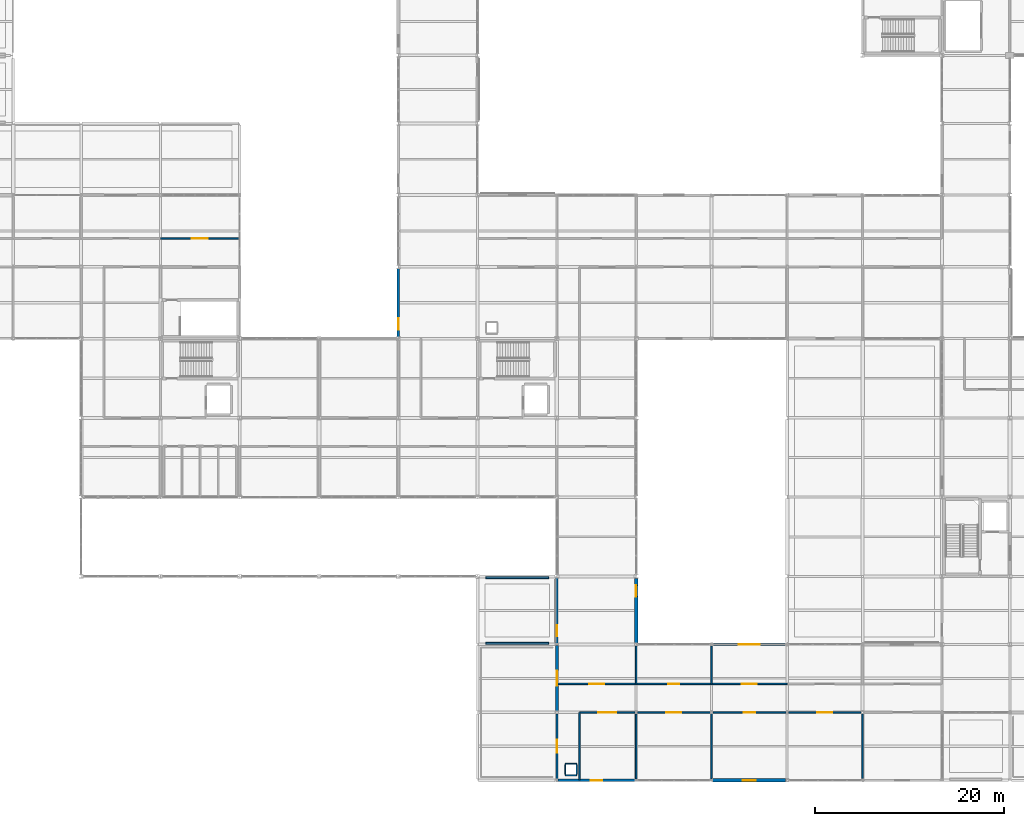
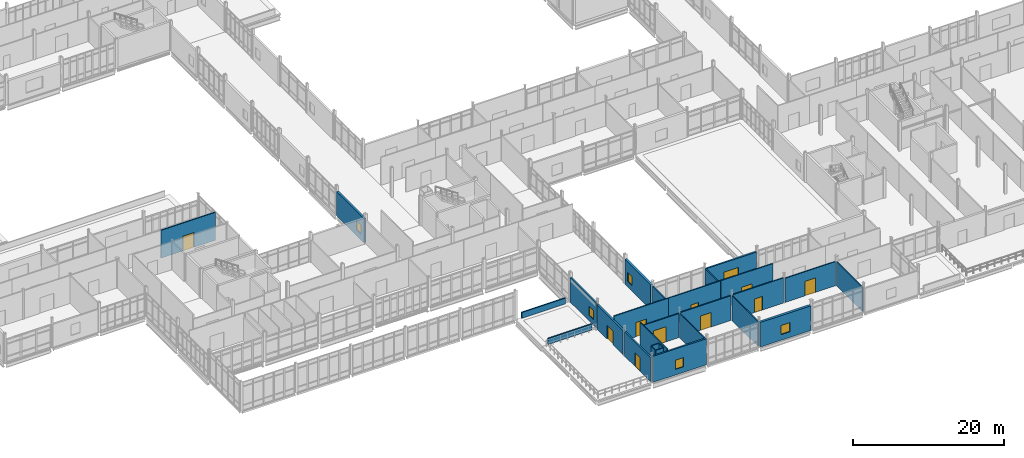
# One storey, part 160 of 186: 28 walls, 10 doors, 6 windows, 16 openings.
"""IFC4 building model written with IfcOpenShell, lengths in metres."""

import ifcopenshell
import ifcopenshell.guid

model = None  # the IFC model being written
_history = None  # IfcOwnerHistory: only IFC2X3 demands one
_inside = {}  # id of a spatial element -> (the spatial element, [elements in it])
_under = {}  # id of a project, library or spatial element -> (it, [spatial elements below it])
_declared = {}  # id of a project -> (the project, [libraries it declares])
_typed = {}  # id of a type object -> (the type object, [elements of that type])
_made_of = {}  # id of a material, layer set ... -> (it, [elements and type objects made of it])


def new_model(schema):
    """Start an empty IFC model of exactly this schema.

    Asked for "IFC4X3", IfcOpenShell would pick the latest addendum, in which some entities
    have other attributes; the version numbers below select the first issue.
    IFC2X3 requires an IfcOwnerHistory on every rooted entity: one is made here for all.
    """
    global model, _history
    if schema == "IFC4X3":
        model = ifcopenshell.file(schema_version=(4, 3, 0, 0))
    else:
        model = ifcopenshell.file(schema=schema)
    _inside.clear()
    _under.clear()
    _declared.clear()
    _typed.clear()
    _made_of.clear()
    _history = None
    if model.schema == "IFC2X3":
        org = make("IfcOrganization", Name="unknown")
        user = make(
            "IfcPersonAndOrganization",
            ThePerson=make("IfcPerson", FamilyName="unknown"),
            TheOrganization=org,
        )
        app = make(
            "IfcApplication",
            ApplicationDeveloper=org,
            Version="unknown",
            ApplicationFullName="unknown",
            ApplicationIdentifier="unknown",
        )
        _history = make(
            "IfcOwnerHistory",
            OwningUser=user,
            OwningApplication=app,
            ChangeAction="ADDED",
            CreationDate=0,
        )
    return model


def make(cls, **values):
    """One entity of the class cls with the attributes given. An attribute that is None is left unset."""
    return model.create_entity(
        cls, **{name: value for name, value in values.items() if value is not None}
    )


def rooted(cls, **values):
    """An entity with a GlobalId (a new one), such as an element, a storey or a relation."""
    return make(cls, GlobalId=ifcopenshell.guid.new(), OwnerHistory=_history, **values)


def si_unit(unit_type, name, prefix=None):
    """IfcSIUnit, for example si_unit("LENGTHUNIT", "METRE", prefix="MILLI")."""
    return make("IfcSIUnit", UnitType=unit_type, Prefix=prefix, Name=name)


def assignment(units):
    """IfcUnitAssignment: the units of a project."""
    return None if units is None else make("IfcUnitAssignment", Units=units)


def point(xyz):
    """IfcCartesianPoint."""
    return None if xyz is None else make("IfcCartesianPoint", Coordinates=xyz)


def direction(xyz):
    """IfcDirection."""
    return None if xyz is None else make("IfcDirection", DirectionRatios=xyz)


def frame(location, z_axis=None, x_axis=None):
    """IfcAxis2Placement3D, a coordinate frame: its origin and axes. An axis left out is left unset."""
    return make(
        "IfcAxis2Placement3D",
        Location=point(location),
        Axis=direction(z_axis),
        RefDirection=direction(x_axis),
    )


def frame_2d(location, x_axis=None):
    """IfcAxis2Placement2D, a coordinate frame in the plane: its origin and x axis."""
    return make(
        "IfcAxis2Placement2D", Location=point(location), RefDirection=direction(x_axis)
    )


def origin():
    """The frame at (0, 0, 0) with its axes left unset."""
    return frame((0.0, 0.0, 0.0))


def place(relative_to, where):
    """IfcLocalPlacement: puts the frame where relative to a parent placement (None: the world)."""
    return make(
        "IfcLocalPlacement", PlacementRelTo=relative_to, RelativePlacement=where
    )


def context(
    kind, dimensions, precision=None, world=None, true_north=None, identifier=None
):
    """IfcGeometricRepresentationContext, for example the 3D "Model" context."""
    return make(
        "IfcGeometricRepresentationContext",
        ContextIdentifier=identifier,
        ContextType=kind,
        CoordinateSpaceDimension=dimensions,
        Precision=precision,
        WorldCoordinateSystem=world,
        TrueNorth=true_north,
    )


def subcontext(parent, identifier, kind, view, scale=None):
    """IfcGeometricRepresentationSubContext, for example "Body" below "Model"."""
    return make(
        "IfcGeometricRepresentationSubContext",
        ContextIdentifier=identifier,
        ContextType=kind,
        ParentContext=parent,
        TargetScale=scale,
        TargetView=view,
    )


def project(units=None, contexts=None):
    """IfcProject with its units and contexts."""
    return rooted(
        "IfcProject",
        Name="project",
        RepresentationContexts=contexts,
        UnitsInContext=assignment(units),
    )


def spatial(cls, under=None, at=None, **own):
    """A site, building, storey or space (cls), placed at a placement, below another one or the project."""
    s = rooted(cls, ObjectPlacement=at, **own)
    if under is not None:
        _under.setdefault(under.id(), (under, []))[1].append(s)
    return s


def profile(cls, at=None, kind="AREA", **sizes):
    """A parametric profile (cls). Its sizes go by their IFC names, for example OverallWidth=200.0."""
    return make(cls, ProfileType=kind, Position=at, **sizes)


def rectangle(**sizes):
    """IfcRectangleProfileDef."""
    return profile("IfcRectangleProfileDef", **sizes)


def extrude(swept, where, along, depth):
    """IfcExtrudedAreaSolid: the profile swept, set in the frame where, extruded along a direction by depth."""
    return make(
        "IfcExtrudedAreaSolid",
        SweptArea=swept,
        Position=where,
        ExtrudedDirection=direction(along),
        Depth=depth,
    )


def shape(context_of_items, identifier, shape_type, items):
    """IfcShapeRepresentation: the items that make up one representation, for example the "Body"."""
    return make(
        "IfcShapeRepresentation",
        ContextOfItems=context_of_items,
        RepresentationIdentifier=identifier,
        RepresentationType=shape_type,
        Items=items,
    )


def material(Name=None, Category=None):
    """IfcMaterial."""
    return make("IfcMaterial", Name=Name, Category=Category)


def layer(
    of_material, thickness, ventilated=None, Name=None, Category=None, Priority=None
):
    """IfcMaterialLayer: one layer of a wall or slab, of a material (None: an air gap)."""
    return make(
        "IfcMaterialLayer",
        Material=of_material,
        LayerThickness=thickness,
        IsVentilated=ventilated,
        Name=Name,
        Category=Category,
        Priority=Priority,
    )


def layer_set(layers, Name=None):
    """IfcMaterialLayerSet."""
    return make("IfcMaterialLayerSet", MaterialLayers=layers, LayerSetName=Name)


def made_of(thing, what):
    """Note that an element or type object is made of a material, layer set ...; save() writes the relation."""
    if what is not None:
        _made_of.setdefault(what.id(), (what, []))[1].append(thing)
    return thing


def type_object(cls, material=None, **own):
    """A type object (cls), such as IfcWallType, which elements share."""
    return made_of(rooted(cls, **own), material)


def element(
    cls,
    number,
    at=None,
    inside=None,
    cuts=None,
    type_object=None,
    material=None,
    context=None,
    identifier="Body",
    shape_type=None,
    held_by="IfcProductDefinitionShape",
    body=None,
    shapes=None,
    **own,
):
    """One element of the class cls, such as IfcWall. Its Tag is "e" and its number.

    at: its placement. inside: the storey or other place that contains it. cuts: it is an
    opening in that element (IfcRelVoidsElement). A single representation is given by context,
    identifier, shape_type and body (its items); several are given by shapes. held_by: the class
    of the entity that holds the representations. save() writes the other relations.
    """
    e = rooted(cls, Tag="e%d" % number, ObjectPlacement=at, **own)
    if body is not None:
        shapes = [shape(context, identifier, shape_type, body)]
    if shapes is not None:
        e.Representation = make(held_by, Representations=shapes)
    if inside is not None:
        _inside.setdefault(inside.id(), (inside, []))[1].append(e)
    if cuts is not None:
        rooted(
            "IfcRelVoidsElement", RelatingBuildingElement=cuts, RelatedOpeningElement=e
        )
    if type_object is not None:
        _typed.setdefault(type_object.id(), (type_object, []))[1].append(e)
    return made_of(e, material)


def fill(opening, filler):
    """IfcRelFillsElement: the door or window that sits in an opening."""
    return rooted(
        "IfcRelFillsElement",
        RelatingOpeningElement=opening,
        RelatedBuildingElement=filler,
    )


def aggregate(whole, parts):
    """IfcRelAggregates: a whole, such as a stair, and the parts it consists of."""
    return rooted("IfcRelAggregates", RelatingObject=whole, RelatedObjects=parts)


def save(model, path):
    """Write the relations noted so far, then the file.

    IfcRelAggregates (storeys below a building ...), IfcRelContainedInSpatialStructure (elements
    in a storey), IfcRelDefinesByType, IfcRelAssociatesMaterial and IfcRelDeclares: one each for
    every whole, place, type object, material and project.
    """
    for whole, parts in _under.values():
        aggregate(whole, parts)
    for where, things in _inside.values():
        rooted(
            "IfcRelContainedInSpatialStructure",
            RelatedElements=things,
            RelatingStructure=where,
        )
    for kind, things in _typed.values():
        rooted("IfcRelDefinesByType", RelatedObjects=things, RelatingType=kind)
    for what, things in _made_of.values():
        rooted("IfcRelAssociatesMaterial", RelatedObjects=things, RelatingMaterial=what)
    for by, libraries in _declared.values():
        rooted("IfcRelDeclares", RelatingContext=by, RelatedDefinitions=libraries)
    model.write(path)


model = new_model("IFC4")

# Units and contexts
model_context = context("Model", 3, precision=1e-05, world=origin(), true_north=direction((0.0, 1.0)))
body_context = subcontext(model_context, "Body", "Model", "MODEL_VIEW")
ifc_project = project(units=[si_unit("LENGTHUNIT", "METRE"), si_unit("AREAUNIT", "SQUARE_METRE"), si_unit("VOLUMEUNIT", "CUBIC_METRE"), si_unit("PLANEANGLEUNIT", "RADIAN"), si_unit("MASSUNIT", "GRAM", prefix="KILO")], contexts=[model_context])

# Site, building, storey
site_placement = place(None, origin())
site = spatial("IfcSite", under=ifc_project, at=site_placement, CompositionType="ELEMENT")
building_placement = place(site_placement, origin())
building = spatial("IfcBuilding", under=site, at=building_placement, Name="Calvrana Isthmian Art Gallery", CompositionType="ELEMENT")
storey_placement = place(building_placement, frame((0.0, 0.0, 5.39990234375)))
storey = spatial("IfcBuildingStorey", under=building, at=storey_placement, Name="L01", CompositionType="ELEMENT", Elevation=5.39990234375)

# Wall, opening, door
ifc_material_1 = material(Name="Precast concrete C40/50", Category="concrete")
ifc_layer_1 = layer(ifc_material_1, 0.219970703125, Name="Precast concrete C40/50")
ifc_layer_set_1 = layer_set([ifc_layer_1], Name="Precast concrete C40/50")
wall_type_1 = type_object("IfcWallType", Name="EW-ACOUST-220", PredefinedType="SOLIDWALL", material=ifc_layer_set_1)
wall_1_placement = place(storey_placement, frame((72.0, 0.15234375, 0.0), z_axis=(0.0, 0.0, 1.0), x_axis=(0.0, 1.0, 0.0)))
wall_1 = element("IfcWall", 1, at=wall_1_placement, inside=storey, type_object=wall_type_1, Name="Exterior wall EW-098", PredefinedType="SOLIDWALL", context=body_context, shape_type="SweptSolid", body=[
    extrude(rectangle(XDim=6.895263671875, YDim=0.219970703125, at=frame_2d((3.44775390625, 0.0))), origin(), (0.0, 0.0, 1.0), 3.908203125),
])
opening_1_placement = place(wall_1_placement, frame((2.74755859375, 0.0, 0.0)))
opening_1 = element("IfcOpeningElement", 2, at=opening_1_placement, cuts=wall_1, Name="Opening D-T21", PredefinedType="OPENING", context=body_context, shape_type="SweptSolid", body=[
    extrude(rectangle(XDim=1.39990234375, YDim=2.199951171875, at=frame_2d((0.699951171875, 1.10009765625))), frame((0.0, 0.1201171875, 0.0), z_axis=(0.0, -1.0, 0.0), x_axis=(1.0, 0.0, 0.0)), (0.0, 0.0, 1.0), 0.240478515625),
])
ifc_material_2 = material(Name="Anodized bronze aluminium 6063-T6", Category="aluminium")
door_type_1 = type_object("IfcDoorType", Name="DR-EXT-TER-1400", OperationType="NOTDEFINED", PredefinedType="DOOR", material=ifc_material_2)
door_1_placement = place(opening_1_placement, origin())
door_1 = element("IfcDoor", 3, at=door_1_placement, inside=storey, type_object=door_type_1, Name="Sculpture terrace access door D-T21", OperationType="SINGLE_SWING_LEFT", OverallHeight=2.199951171875, OverallWidth=1.39990234375, PredefinedType="DOOR", context=body_context, shape_type="SweptSolid", body=[
    extrude(rectangle(XDim=1.39990234375, YDim=2.199951171875, at=frame_2d((0.699951171875, 1.10009765625))), frame((0.0, 0.02490234375, 0.0), z_axis=(0.0, -1.0, 0.0), x_axis=(1.0, 0.0, 0.0)), (0.0, 0.0, 1.0), 0.050048828125),
])
fill(opening_1, door_1)

# Wall, opening, window
ifc_material_3 = material(Name="Pale Isthmian limestone", Category="masonry")
ifc_layer_2 = layer(ifc_material_3, 0.300048828125, Name="Pale Isthmian limestone")
ifc_layer_set_2 = layer_set([ifc_layer_2], Name="Pale Isthmian limestone")
wall_type_2 = type_object("IfcWallType", Name="EW-LIME-300", PredefinedType="SOLIDWALL", material=ifc_layer_set_2)
wall_2_placement = place(storey_placement, frame((55.199951171875, 46.988037109375, 0.0), z_axis=(0.0, 0.0, 1.0), x_axis=(0.0, 1.0, 0.0)))
wall_2 = element("IfcWall", 4, at=wall_2_placement, inside=storey, type_object=wall_type_2, Name="Exterior wall EW-091", PredefinedType="SOLIDWALL", context=body_context, shape_type="SweptSolid", body=[
    extrude(rectangle(XDim=7.22802734375, YDim=0.300048828125, at=frame_2d((3.614013671875, 0.0))), origin(), (0.0, 0.0, 1.0), 3.908203125),
])
opening_2_placement = place(wall_2_placement, frame((0.75, 0.0, 0.89990234375)))
opening_2 = element("IfcOpeningElement", 5, at=opening_2_placement, cuts=wall_2, Name="Opening W-055", PredefinedType="OPENING", context=body_context, shape_type="SweptSolid", body=[
    extrude(rectangle(XDim=1.199951171875, YDim=1.5, at=frame_2d((0.60009765625, 0.75))), frame((0.0, 0.16015625, 0.0), z_axis=(0.0, -1.0, 0.0), x_axis=(1.0, 0.0, 0.0)), (0.0, 0.0, 1.0), 0.320556640625),
])
ifc_material_4 = material(Name="Low-E laminated solar glass", Category="glass")
window_type_1 = type_object("IfcWindowType", Name="WN-G01", PartitioningType="SINGLE_PANEL", PredefinedType="WINDOW", material=ifc_material_4)
window_1_placement = place(opening_2_placement, origin())
window_1 = element("IfcWindow", 6, at=window_1_placement, inside=storey, type_object=window_type_1, Name="Facade window W-055", OverallHeight=1.5, OverallWidth=1.199951171875, PartitioningType="SINGLE_PANEL", PredefinedType="WINDOW", context=body_context, shape_type="SweptSolid", body=[
    extrude(rectangle(XDim=1.199951171875, YDim=1.5, at=frame_2d((0.60009765625, 0.75))), frame((0.0, 0.030029296875, 0.0), z_axis=(0.0, -1.0, 0.0), x_axis=(1.0, 0.0, 0.0)), (0.0, 0.0, 1.0), 0.06005859375),
])
fill(opening_2, window_1)

# Wall, opening, door
wall_3_placement = place(storey_placement, frame((72.0, 7.352294921875, 0.0), z_axis=(0.0, 0.0, 1.0), x_axis=(0.0, 1.0, 0.0)))
wall_3 = element("IfcWall", 7, at=wall_3_placement, inside=storey, type_object=wall_type_2, Name="Exterior wall EW-099", PredefinedType="SOLIDWALL", context=body_context, shape_type="SweptSolid", body=[
    extrude(rectangle(XDim=6.946044921875, YDim=0.300048828125, at=frame_2d((3.47314453125, 0.0))), origin(), (0.0, 0.0, 1.0), 3.9130859375),
])
opening_3_placement = place(wall_3_placement, frame((2.673095703125, 0.0, 0.0)))
opening_3 = element("IfcOpeningElement", 8, at=opening_3_placement, cuts=wall_3, Name="Opening D-T22", PredefinedType="OPENING", context=body_context, shape_type="SweptSolid", body=[
    extrude(rectangle(XDim=1.60009765625, YDim=2.25, at=frame_2d((0.800048828125, 1.125))), frame((0.0, 0.16015625, 0.0), z_axis=(0.0, -1.0, 0.0), x_axis=(1.0, 0.0, 0.0)), (0.0, 0.0, 1.0), 0.320556640625),
])
door_type_2 = type_object("IfcDoorType", Name="DR-EXT-TER-1600", OperationType="DOUBLE_DOOR_SINGLE_SWING", PredefinedType="DOOR", material=ifc_material_2)
door_2_placement = place(opening_3_placement, origin())
door_2 = element("IfcDoor", 9, at=door_2_placement, inside=storey, type_object=door_type_2, Name="Sculpture terrace access door D-T22", OperationType="DOUBLE_DOOR_SINGLE_SWING", OverallHeight=2.25, OverallWidth=1.60009765625, PredefinedType="DOOR", context=body_context, shape_type="SweptSolid", body=[
    extrude(rectangle(XDim=1.60009765625, YDim=2.25, at=frame_2d((0.800048828125, 1.125))), frame((0.0, 0.02490234375, 0.0), z_axis=(0.0, -1.0, 0.0), x_axis=(1.0, 0.0, 0.0)), (0.0, 0.0, 1.0), 0.050048828125),
])
fill(opening_3, door_2)

# Wall, opening, window
ifc_layer_3 = layer(ifc_material_1, 0.35009765625, Name="Precast concrete C40/50")
ifc_layer_set_3 = layer_set([ifc_layer_3], Name="Precast concrete C40/50")
wall_type_3 = type_object("IfcWallType", Name="EW-PREC-350", PredefinedType="SOLIDWALL", material=ifc_layer_set_3)
wall_4_placement = place(storey_placement, frame((96.24755859375, 0.0, 0.0), z_axis=(0.0, 0.0, 1.0), x_axis=(-1.0, 0.0, 0.0)))
wall_4 = element("IfcWall", 10, at=wall_4_placement, inside=storey, type_object=wall_type_3, Name="Exterior wall EW-057", PredefinedType="SOLIDWALL", context=body_context, shape_type="SweptSolid", body=[
    extrude(rectangle(XDim=7.745849609375, YDim=0.35009765625, at=frame_2d((3.873046875, 0.0))), origin(), (0.0, 0.0, 1.0), 3.987060546875),
])
opening_4_placement = place(wall_4_placement, frame((3.197998046875, 0.0, 0.89990234375)))
opening_4 = element("IfcOpeningElement", 11, at=opening_4_placement, cuts=wall_4, Name="Opening W-025", PredefinedType="OPENING", context=body_context, shape_type="SweptSolid", body=[
    extrude(rectangle(XDim=1.35009765625, YDim=1.5, at=frame_2d((0.675048828125, 0.75))), frame((0.0, 0.185302734375, 0.0), z_axis=(0.0, -1.0, 0.0), x_axis=(1.0, 0.0, 0.0)), (0.0, 0.0, 1.0), 0.37060546875),
])
window_type_2 = type_object("IfcWindowType", Name="WN-G02", PartitioningType="SINGLE_PANEL", PredefinedType="WINDOW", material=ifc_material_4)
window_2_placement = place(opening_4_placement, origin())
window_2 = element("IfcWindow", 12, at=window_2_placement, inside=storey, type_object=window_type_2, Name="Facade window W-025", OverallHeight=1.5, OverallWidth=1.35009765625, PartitioningType="SINGLE_PANEL", PredefinedType="WINDOW", context=body_context, shape_type="SweptSolid", body=[
    extrude(rectangle(XDim=1.35009765625, YDim=1.5, at=frame_2d((0.675048828125, 0.75))), frame((0.0, 0.030029296875, 0.0), z_axis=(0.0, -1.0, 0.0), x_axis=(1.0, 0.0, 0.0)), (0.0, 0.0, 1.0), 0.06005859375),
])
fill(opening_4, window_2)

wall_5_placement = place(storey_placement, frame((80.39990234375, 21.406982421875, 0.0), z_axis=(0.0, 0.0, 1.0), x_axis=(0.0, -1.0, 0.0)))
wall_5 = element("IfcWall", 13, at=wall_5_placement, inside=storey, type_object=wall_type_3, Name="Exterior wall EW-101", PredefinedType="SOLIDWALL", context=body_context, shape_type="SweptSolid", body=[
    extrude(rectangle(XDim=6.8544921875, YDim=0.35009765625, at=frame_2d((3.42724609375, 0.0))), origin(), (0.0, 0.0, 1.0), 4.05810546875),
])
opening_5_placement = place(wall_5_placement, frame((0.75, 0.0, 0.89990234375)))
opening_5 = element("IfcOpeningElement", 14, at=opening_5_placement, cuts=wall_5, Name="Opening W-063", PredefinedType="OPENING", context=body_context, shape_type="SweptSolid", body=[
    extrude(rectangle(XDim=1.199951171875, YDim=1.5, at=frame_2d((0.60009765625, 0.75))), frame((0.0, 0.185302734375, 0.0), z_axis=(0.0, -1.0, 0.0), x_axis=(1.0, 0.0, 0.0)), (0.0, 0.0, 1.0), 0.37060546875),
])
window_3_placement = place(opening_5_placement, origin())
window_3 = element("IfcWindow", 15, at=window_3_placement, inside=storey, type_object=window_type_1, Name="Facade window W-063", OverallHeight=1.5, OverallWidth=1.199951171875, PartitioningType="SINGLE_PANEL", PredefinedType="WINDOW", context=body_context, shape_type="SweptSolid", body=[
    extrude(rectangle(XDim=1.199951171875, YDim=1.5, at=frame_2d((0.60009765625, 0.75))), frame((0.0, 0.030029296875, 0.0), z_axis=(0.0, -1.0, 0.0), x_axis=(1.0, 0.0, 0.0)), (0.0, 0.0, 1.0), 0.06005859375),
])
fill(opening_5, window_3)

ifc_material_5 = material(Name="Polychrome glazed terracotta", Category="masonry")
ifc_layer_4 = layer(ifc_material_5, 0.25, Name="Polychrome glazed terracotta")
ifc_layer_set_4 = layer_set([ifc_layer_4], Name="Polychrome glazed terracotta")
wall_type_4 = type_object("IfcWallType", Name="EW-TERRA-250", PredefinedType="SOLIDWALL", material=ifc_layer_set_4)
wall_6_placement = place(storey_placement, frame((80.27294921875, 0.0, 0.0), z_axis=(0.0, 0.0, 1.0), x_axis=(-1.0, 0.0, 0.0)))
wall_6 = element("IfcWall", 16, at=wall_6_placement, inside=storey, type_object=wall_type_4, Name="Exterior wall EW-056", PredefinedType="SOLIDWALL", context=body_context, shape_type="SweptSolid", body=[
    extrude(rectangle(XDim=8.17138671875, YDim=0.25, at=frame_2d((4.085693359375, 0.0))), origin(), (0.0, 0.0, 1.0), 4.21533203125),
])
opening_6_placement = place(wall_6_placement, frame((3.485595703125, 0.0, 0.89990234375)))
opening_6 = element("IfcOpeningElement", 17, at=opening_6_placement, cuts=wall_6, Name="Opening W-024", PredefinedType="OPENING", context=body_context, shape_type="SweptSolid", body=[
    extrude(rectangle(XDim=1.199951171875, YDim=1.5, at=frame_2d((0.60009765625, 0.75))), frame((0.0, 0.13525390625, 0.0), z_axis=(0.0, -1.0, 0.0), x_axis=(1.0, 0.0, 0.0)), (0.0, 0.0, 1.0), 0.2705078125),
])
window_4_placement = place(opening_6_placement, origin())
window_4 = element("IfcWindow", 18, at=window_4_placement, inside=storey, type_object=window_type_1, Name="Facade window W-024", OverallHeight=1.5, OverallWidth=1.199951171875, PartitioningType="SINGLE_PANEL", PredefinedType="WINDOW", context=body_context, shape_type="SweptSolid", body=[
    extrude(rectangle(XDim=1.199951171875, YDim=1.5, at=frame_2d((0.60009765625, 0.75))), frame((0.0, 0.030029296875, 0.0), z_axis=(0.0, -1.0, 0.0), x_axis=(1.0, 0.0, 0.0)), (0.0, 0.0, 1.0), 0.06005859375),
])
fill(opening_6, window_4)

wall_7_placement = place(storey_placement, frame((88.501708984375, 14.39990234375, 0.0), z_axis=(0.0, 0.0, 1.0), x_axis=(1.0, 0.0, 0.0)))
wall_7 = element("IfcWall", 19, at=wall_7_placement, inside=storey, type_object=wall_type_4, Name="Exterior wall EW-064", PredefinedType="SOLIDWALL", context=body_context, shape_type="SweptSolid", body=[
    extrude(rectangle(XDim=7.771240234375, YDim=0.25, at=frame_2d((3.8857421875, 0.0))), origin(), (0.0, 0.0, 1.0), 3.9130859375),
])
opening_7_placement = place(wall_7_placement, frame((2.78564453125, 0.0, 0.89990234375)))
opening_7 = element("IfcOpeningElement", 20, at=opening_7_placement, cuts=wall_7, Name="Opening W-030", PredefinedType="OPENING", context=body_context, shape_type="SweptSolid", body=[
    extrude(rectangle(XDim=2.199951171875, YDim=1.5, at=frame_2d((1.10009765625, 0.75))), frame((0.0, 0.13525390625, 0.0), z_axis=(0.0, -1.0, 0.0), x_axis=(1.0, 0.0, 0.0)), (0.0, 0.0, 1.0), 0.2705078125),
])
window_type_3 = type_object("IfcWindowType", Name="WN-G07", PartitioningType="DOUBLE_PANEL_VERTICAL", PredefinedType="WINDOW", material=ifc_material_4)
window_5_placement = place(opening_7_placement, origin())
window_5 = element("IfcWindow", 21, at=window_5_placement, inside=storey, type_object=window_type_3, Name="Facade window W-030", OverallHeight=1.5, OverallWidth=2.199951171875, PartitioningType="SINGLE_PANEL", PredefinedType="WINDOW", context=body_context, shape_type="SweptSolid", body=[
    extrude(rectangle(XDim=2.199951171875, YDim=1.5, at=frame_2d((1.10009765625, 0.75))), frame((0.0, 0.030029296875, 0.0), z_axis=(0.0, -1.0, 0.0), x_axis=(1.0, 0.0, 0.0)), (0.0, 0.0, 1.0), 0.06005859375),
])
fill(opening_7, window_5)

wall_8_placement = place(storey_placement, frame((72.0, 14.501708984375, 0.0), z_axis=(0.0, 0.0, 1.0), x_axis=(0.0, 1.0, 0.0)))
wall_8 = element("IfcWall", 22, at=wall_8_placement, inside=storey, type_object=wall_type_4, Name="Exterior wall EW-100", PredefinedType="SOLIDWALL", context=body_context, shape_type="SweptSolid", body=[
    extrude(rectangle(XDim=6.911865234375, YDim=0.25, at=frame_2d((3.4560546875, 0.0))), origin(), (0.0, 0.0, 1.0), 3.987060546875),
])
opening_8_placement = place(wall_8_placement, frame((0.75, 0.0, 0.89990234375)))
opening_8 = element("IfcOpeningElement", 23, at=opening_8_placement, cuts=wall_8, Name="Opening W-062", PredefinedType="OPENING", context=body_context, shape_type="SweptSolid", body=[
    extrude(rectangle(XDim=1.199951171875, YDim=1.5, at=frame_2d((0.60009765625, 0.75))), frame((0.0, 0.13525390625, 0.0), z_axis=(0.0, -1.0, 0.0), x_axis=(1.0, 0.0, 0.0)), (0.0, 0.0, 1.0), 0.2705078125),
])
window_6_placement = place(opening_8_placement, origin())
window_6 = element("IfcWindow", 24, at=window_6_placement, inside=storey, type_object=window_type_1, Name="Facade window W-062", OverallHeight=1.5, OverallWidth=1.199951171875, PartitioningType="SINGLE_PANEL", PredefinedType="WINDOW", context=body_context, shape_type="SweptSolid", body=[
    extrude(rectangle(XDim=1.199951171875, YDim=1.5, at=frame_2d((0.60009765625, 0.75))), frame((0.0, 0.030029296875, 0.0), z_axis=(0.0, -1.0, 0.0), x_axis=(1.0, 0.0, 0.0)), (0.0, 0.0, 1.0), 0.06005859375),
])
fill(opening_8, window_6)

# Walls
ifc_material_6 = material(Name="Acoustic gypsum ceiling", Category="gypsum")
ifc_layer_5 = layer(ifc_material_6, 0.1201171875, Name="Acoustic gypsum ceiling")
ifc_layer_set_5 = layer_set([ifc_layer_5], Name="Acoustic gypsum ceiling")
wall_type_5 = type_object("IfcWallType", Name="PW-FURR-120", PredefinedType="PARTITIONING", material=ifc_layer_set_5)
for number, where, z_axis, x_axis, name in (
    (25, (72.89990234375, 0.5400390625, 0.0), (0.0, 0.0, 1.0), (1.0, 0.0, 0.0), "MEP riser enclosure L01-9S"),
    (26, (72.89990234375, 1.739990234375, 0.0), (0.0, 0.0, 1.0), (1.0, 0.0, 0.0), "MEP riser enclosure L01-9N"),
):
    element("IfcWall", number, at=place(storey_placement, frame(where, z_axis=z_axis, x_axis=x_axis)), inside=storey, type_object=wall_type_5, Name=name, PredefinedType="PARTITIONING", context=body_context, shape_type="SweptSolid", body=[
        extrude(rectangle(XDim=1.2001953125, YDim=0.1201171875, at=frame_2d((0.60009765625, 0.0))), origin(), (0.0, 0.0, 1.0), 4.5400390625),
    ])
for number, where, z_axis, x_axis, name in (
    (27, (72.89990234375, 0.6201171875, 0.0), (0.0, 0.0, 1.0), (0.0, 1.0, 0.0), "MEP riser enclosure L01-9W"),
    (28, (74.10009765625, 0.6201171875, 0.0), (0.0, 0.0, 1.0), (0.0, 1.0, 0.0), "MEP riser enclosure L01-9E"),
):
    element("IfcWall", number, at=place(storey_placement, frame(where, z_axis=z_axis, x_axis=x_axis)), inside=storey, type_object=wall_type_5, Name=name, PredefinedType="PARTITIONING", context=body_context, shape_type="SweptSolid", body=[
        extrude(rectangle(XDim=1.039794921875, YDim=0.1201171875, at=frame_2d((0.52001953125, 0.0))), origin(), (0.0, 0.0, 1.0), 4.5400390625),
    ])
ifc_layer_6 = layer(ifc_material_6, 0.159912109375, Name="Acoustic gypsum ceiling")
ifc_layer_set_6 = layer_set([ifc_layer_6], Name="Acoustic gypsum ceiling")
wall_type_6 = type_object("IfcWallType", Name="PW-GAL-160", PredefinedType="PARTITIONING", material=ifc_layer_set_6)
wall_9_placement = place(storey_placement, frame((74.39990234375, 0.0400390625, 0.0), z_axis=(0.0, 0.0, 1.0), x_axis=(0.0, 1.0, 0.0)))
element("IfcWall", 29, at=wall_9_placement, inside=storey, type_object=wall_type_6, Name="Interior partition PW-324", PredefinedType="PARTITIONING", context=body_context, shape_type="SweptSolid", body=[
    extrude(rectangle(XDim=7.139892578125, YDim=0.159912109375, at=frame_2d((3.56982421875, 0.0))), origin(), (0.0, 0.0, 1.0), 4.52001953125),
])

# Wall, opening, door
wall_10_placement = place(storey_placement, frame((74.39990234375, 7.199951171875, 0.0), z_axis=(0.0, 0.0, 1.0), x_axis=(1.0, 0.0, 0.0)))
wall_10 = element("IfcWall", 30, at=wall_10_placement, inside=storey, type_object=wall_type_6, Name="Interior partition PW-325", PredefinedType="PARTITIONING", context=body_context, shape_type="SweptSolid", body=[
    extrude(rectangle(XDim=5.883544921875, YDim=0.159912109375, at=frame_2d((2.94189453125, 0.0))), origin(), (0.0, 0.0, 1.0), 3.898193359375),
])
opening_9_placement = place(wall_10_placement, frame((1.99169921875, 0.0, 0.0)))
opening_9 = element("IfcOpeningElement", 31, at=opening_9_placement, cuts=wall_10, Name="Opening D-364", PredefinedType="OPENING", context=body_context, shape_type="SweptSolid", body=[
    extrude(rectangle(XDim=1.89990234375, YDim=2.449951171875, at=frame_2d((0.949951171875, 1.22509765625))), frame((0.0, 0.09033203125, 0.0), z_axis=(0.0, -1.0, 0.0), x_axis=(1.0, 0.0, 0.0)), (0.0, 0.0, 1.0), 0.180419921875),
])
ifc_material_7 = material(Name="Timber gallery flooring", Category="wood")
door_type_3 = type_object("IfcDoorType", Name="DR-GAL-1900", OperationType="DOUBLE_DOOR_SINGLE_SWING", PredefinedType="DOOR", material=ifc_material_7)
door_3_placement = place(opening_9_placement, origin())
door_3 = element("IfcDoor", 32, at=door_3_placement, inside=storey, type_object=door_type_3, Name="Interior door D-364", OperationType="DOUBLE_DOOR_SINGLE_SWING", OverallHeight=2.449951171875, OverallWidth=1.89990234375, PredefinedType="DOOR", context=body_context, shape_type="SweptSolid", body=[
    extrude(rectangle(XDim=1.89990234375, YDim=2.449951171875, at=frame_2d((0.949951171875, 1.22509765625))), frame((0.0, 0.02490234375, 0.0), z_axis=(0.0, -1.0, 0.0), x_axis=(1.0, 0.0, 0.0)), (0.0, 0.0, 1.0), 0.050048828125),
])
fill(opening_9, door_3)

# Wall
wall_11_placement = place(storey_placement, frame((80.39990234375, 0.14208984375, 0.0), z_axis=(0.0, 0.0, 1.0), x_axis=(0.0, 1.0, 0.0)))
element("IfcWall", 33, at=wall_11_placement, inside=storey, type_object=wall_type_6, Name="Interior partition PW-326", PredefinedType="PARTITIONING", context=body_context, shape_type="SweptSolid", body=[
    extrude(rectangle(XDim=6.890625, YDim=0.159912109375, at=frame_2d((3.4453125, 0.0))), origin(), (0.0, 0.0, 1.0), 3.9130859375),
])

# Wall, opening, door
wall_12_placement = place(storey_placement, frame((80.5166015625, 7.199951171875, 0.0), z_axis=(0.0, 0.0, 1.0), x_axis=(1.0, 0.0, 0.0)))
wall_12 = element("IfcWall", 34, at=wall_12_placement, inside=storey, type_object=wall_type_6, Name="Interior partition PW-327", PredefinedType="PARTITIONING", context=body_context, shape_type="SweptSolid", body=[
    extrude(rectangle(XDim=7.741455078125, YDim=0.159912109375, at=frame_2d((3.87060546875, 0.0))), origin(), (0.0, 0.0, 1.0), 3.987060546875),
])
opening_10_placement = place(wall_12_placement, frame((3.07080078125, 0.0, 0.0)))
opening_10 = element("IfcOpeningElement", 35, at=opening_10_placement, cuts=wall_12, Name="Opening D-365", PredefinedType="OPENING", context=body_context, shape_type="SweptSolid", body=[
    extrude(rectangle(XDim=1.60009765625, YDim=2.35009765625, at=frame_2d((0.800048828125, 1.175048828125))), frame((0.0, 0.09033203125, 0.0), z_axis=(0.0, -1.0, 0.0), x_axis=(1.0, 0.0, 0.0)), (0.0, 0.0, 1.0), 0.180419921875),
])
door_type_4 = type_object("IfcDoorType", Name="DR-GAL-1600", OperationType="DOUBLE_DOOR_SINGLE_SWING", PredefinedType="DOOR", material=ifc_material_7)
door_4_placement = place(opening_10_placement, origin())
door_4 = element("IfcDoor", 36, at=door_4_placement, inside=storey, type_object=door_type_4, Name="Interior door D-365", OperationType="DOUBLE_DOOR_SINGLE_SWING", OverallHeight=2.35009765625, OverallWidth=1.60009765625, PredefinedType="DOOR", context=body_context, shape_type="SweptSolid", body=[
    extrude(rectangle(XDim=1.60009765625, YDim=2.35009765625, at=frame_2d((0.800048828125, 1.175048828125))), frame((0.0, 0.02490234375, 0.0), z_axis=(0.0, -1.0, 0.0), x_axis=(1.0, 0.0, 0.0)), (0.0, 0.0, 1.0), 0.050048828125),
])
fill(opening_10, door_4)

# Wall
wall_13_placement = place(storey_placement, frame((88.39990234375, 0.11669921875, 0.0), z_axis=(0.0, 0.0, 1.0), x_axis=(0.0, 1.0, 0.0)))
element("IfcWall", 37, at=wall_13_placement, inside=storey, type_object=wall_type_6, Name="Interior partition PW-328", PredefinedType="PARTITIONING", context=body_context, shape_type="SweptSolid", body=[
    extrude(rectangle(XDim=6.94140625, YDim=0.159912109375, at=frame_2d((3.470703125, 0.0))), origin(), (0.0, 0.0, 1.0), 3.987060546875),
])

# Wall, opening, door
wall_14_placement = place(storey_placement, frame((88.5419921875, 7.199951171875, 0.0), z_axis=(0.0, 0.0, 1.0), x_axis=(1.0, 0.0, 0.0)))
wall_14 = element("IfcWall", 38, at=wall_14_placement, inside=storey, type_object=wall_type_6, Name="Interior partition PW-329", PredefinedType="PARTITIONING", context=body_context, shape_type="SweptSolid", body=[
    extrude(rectangle(XDim=7.741455078125, YDim=0.159912109375, at=frame_2d((3.87060546875, 0.0))), origin(), (0.0, 0.0, 1.0), 4.05810546875),
])
opening_11_placement = place(wall_14_placement, frame((3.270751953125, 0.0, 0.0)))
opening_11 = element("IfcOpeningElement", 39, at=opening_11_placement, cuts=wall_14, Name="Opening D-366", PredefinedType="OPENING", context=body_context, shape_type="SweptSolid", body=[
    extrude(rectangle(XDim=1.199951171875, YDim=2.199951171875, at=frame_2d((0.60009765625, 1.10009765625))), frame((0.0, 0.09033203125, 0.0), z_axis=(0.0, -1.0, 0.0), x_axis=(1.0, 0.0, 0.0)), (0.0, 0.0, 1.0), 0.180419921875),
])
door_type_5 = type_object("IfcDoorType", Name="DR-RM-1200", OperationType="NOTDEFINED", PredefinedType="DOOR", material=ifc_material_7)
door_5_placement = place(opening_11_placement, origin())
door_5 = element("IfcDoor", 40, at=door_5_placement, inside=storey, type_object=door_type_5, Name="Interior door D-366", OperationType="SINGLE_SWING_RIGHT", OverallHeight=2.199951171875, OverallWidth=1.199951171875, PredefinedType="DOOR", context=body_context, shape_type="SweptSolid", body=[
    extrude(rectangle(XDim=1.199951171875, YDim=2.199951171875, at=frame_2d((0.60009765625, 1.10009765625))), frame((0.0, 0.02490234375, 0.0), z_axis=(0.0, -1.0, 0.0), x_axis=(1.0, 0.0, 0.0)), (0.0, 0.0, 1.0), 0.050048828125),
])
fill(opening_11, door_5)

wall_15_placement = place(storey_placement, frame((96.5166015625, 7.199951171875, 0.0), z_axis=(0.0, 0.0, 1.0), x_axis=(1.0, 0.0, 0.0)))
wall_15 = element("IfcWall", 41, at=wall_15_placement, inside=storey, type_object=wall_type_6, Name="Interior partition PW-330", PredefinedType="PARTITIONING", context=body_context, shape_type="SweptSolid", body=[
    extrude(rectangle(XDim=7.716064453125, YDim=0.159912109375, at=frame_2d((3.85791015625, 0.0))), origin(), (0.0, 0.0, 1.0), 3.9130859375),
])
opening_12_placement = place(wall_15_placement, frame((3.05810546875, 0.0, 0.0)))
opening_12 = element("IfcOpeningElement", 42, at=opening_12_placement, cuts=wall_15, Name="Opening D-367", PredefinedType="OPENING", context=body_context, shape_type="SweptSolid", body=[
    extrude(rectangle(XDim=1.60009765625, YDim=2.35009765625, at=frame_2d((0.800048828125, 1.175048828125))), frame((0.0, 0.09033203125, 0.0), z_axis=(0.0, -1.0, 0.0), x_axis=(1.0, 0.0, 0.0)), (0.0, 0.0, 1.0), 0.180419921875),
])
door_6_placement = place(opening_12_placement, origin())
door_6 = element("IfcDoor", 43, at=door_6_placement, inside=storey, type_object=door_type_4, Name="Interior door D-367", OperationType="DOUBLE_DOOR_SINGLE_SWING", OverallHeight=2.35009765625, OverallWidth=1.60009765625, PredefinedType="DOOR", context=body_context, shape_type="SweptSolid", body=[
    extrude(rectangle(XDim=1.60009765625, YDim=2.35009765625, at=frame_2d((0.800048828125, 1.175048828125))), frame((0.0, 0.02490234375, 0.0), z_axis=(0.0, -1.0, 0.0), x_axis=(1.0, 0.0, 0.0)), (0.0, 0.0, 1.0), 0.050048828125),
])
fill(opening_12, door_6)

# Wall
wall_16_placement = place(storey_placement, frame((104.39990234375, 0.16748046875, 0.0), z_axis=(0.0, 0.0, 1.0), x_axis=(0.0, 1.0, 0.0)))
element("IfcWall", 44, at=wall_16_placement, inside=storey, type_object=wall_type_6, Name="Interior partition PW-331", PredefinedType="PARTITIONING", context=body_context, shape_type="SweptSolid", body=[
    extrude(rectangle(XDim=6.865234375, YDim=0.159912109375, at=frame_2d((3.4326171875, 0.0))), origin(), (0.0, 0.0, 1.0), 3.908203125),
])

# Wall, opening, door
wall_17_placement = place(storey_placement, frame((72.06005859375, 10.2099609375, 0.0), z_axis=(0.0, 0.0, 1.0), x_axis=(1.0, 0.0, 0.0)))
wall_17 = element("IfcWall", 45, at=wall_17_placement, inside=storey, type_object=wall_type_6, Name="Interior partition PW-333", PredefinedType="PARTITIONING", context=body_context, shape_type="SweptSolid", body=[
    extrude(rectangle(XDim=8.329833984375, YDim=0.159912109375, at=frame_2d((4.1650390625, 0.0))), origin(), (0.0, 0.0, 1.0), 4.52001953125),
])
opening_13_placement = place(wall_17_placement, frame((3.389892578125, 0.0, 0.0)))
opening_13 = element("IfcOpeningElement", 46, at=opening_13_placement, cuts=wall_17, Name="Opening D-369", PredefinedType="OPENING", context=body_context, shape_type="SweptSolid", body=[
    extrude(rectangle(XDim=1.550048828125, YDim=2.300048828125, at=frame_2d((0.77490234375, 1.14990234375))), frame((0.0, 0.09033203125, 0.0), z_axis=(0.0, -1.0, 0.0), x_axis=(1.0, 0.0, 0.0)), (0.0, 0.0, 1.0), 0.180419921875),
])
door_type_6 = type_object("IfcDoorType", Name="DR-AUD-1550", OperationType="DOUBLE_DOOR_SINGLE_SWING", PredefinedType="DOOR", material=ifc_material_7)
door_7_placement = place(opening_13_placement, origin())
door_7 = element("IfcDoor", 47, at=door_7_placement, inside=storey, type_object=door_type_6, Name="Interior door D-369", OperationType="DOUBLE_DOOR_SINGLE_SWING", OverallHeight=2.300048828125, OverallWidth=1.550048828125, PredefinedType="DOOR", context=body_context, shape_type="SweptSolid", body=[
    extrude(rectangle(XDim=1.550048828125, YDim=2.300048828125, at=frame_2d((0.77490234375, 1.14990234375))), frame((0.0, 0.02490234375, 0.0), z_axis=(0.0, -1.0, 0.0), x_axis=(1.0, 0.0, 0.0)), (0.0, 0.0, 1.0), 0.050048828125),
])
fill(opening_13, door_7)

# Wall
wall_18_placement = place(storey_placement, frame((80.39990234375, 10.219970703125, 0.0), z_axis=(0.0, 0.0, 1.0), x_axis=(0.0, 1.0, 0.0)))
element("IfcWall", 48, at=wall_18_placement, inside=storey, type_object=wall_type_6, Name="Interior partition PW-334", PredefinedType="PARTITIONING", context=body_context, shape_type="SweptSolid", body=[
    extrude(rectangle(XDim=4.0126953125, YDim=0.159912109375, at=frame_2d((2.00634765625, 0.0))), origin(), (0.0, 0.0, 1.0), 3.987060546875),
])

# Wall, opening, door
wall_19_placement = place(storey_placement, frame((80.409912109375, 10.2099609375, 0.0), z_axis=(0.0, 0.0, 1.0), x_axis=(1.0, 0.0, 0.0)))
wall_19 = element("IfcWall", 49, at=wall_19_placement, inside=storey, type_object=wall_type_6, Name="Interior partition PW-335", PredefinedType="PARTITIONING", context=body_context, shape_type="SweptSolid", body=[
    extrude(rectangle(XDim=7.97998046875, YDim=0.159912109375, at=frame_2d((3.989990234375, 0.0))), origin(), (0.0, 0.0, 1.0), 4.52001953125),
])
opening_14_placement = place(wall_19_placement, frame((3.4150390625, 0.0, 0.0)))
opening_14 = element("IfcOpeningElement", 50, at=opening_14_placement, cuts=wall_19, Name="Opening D-370", PredefinedType="OPENING", context=body_context, shape_type="SweptSolid", body=[
    extrude(rectangle(XDim=1.14990234375, YDim=2.199951171875, at=frame_2d((0.574951171875, 1.10009765625))), frame((0.0, 0.09033203125, 0.0), z_axis=(0.0, -1.0, 0.0), x_axis=(1.0, 0.0, 0.0)), (0.0, 0.0, 1.0), 0.180419921875),
])
door_type_7 = type_object("IfcDoorType", Name="DR-RM-1150", OperationType="NOTDEFINED", PredefinedType="DOOR", material=ifc_material_7)
door_8_placement = place(opening_14_placement, origin())
door_8 = element("IfcDoor", 51, at=door_8_placement, inside=storey, type_object=door_type_7, Name="Interior door D-370", OperationType="SINGLE_SWING_LEFT", OverallHeight=2.199951171875, OverallWidth=1.14990234375, PredefinedType="DOOR", context=body_context, shape_type="SweptSolid", body=[
    extrude(rectangle(XDim=1.14990234375, YDim=2.199951171875, at=frame_2d((0.574951171875, 1.10009765625))), frame((0.0, 0.02490234375, 0.0), z_axis=(0.0, -1.0, 0.0), x_axis=(1.0, 0.0, 0.0)), (0.0, 0.0, 1.0), 0.050048828125),
])
fill(opening_14, door_8)

# Wall
wall_20_placement = place(storey_placement, frame((88.39990234375, 10.219970703125, 0.0), z_axis=(0.0, 0.0, 1.0), x_axis=(0.0, 1.0, 0.0)))
element("IfcWall", 52, at=wall_20_placement, inside=storey, type_object=wall_type_6, Name="Interior partition PW-336", PredefinedType="PARTITIONING", context=body_context, shape_type="SweptSolid", body=[
    extrude(rectangle(XDim=4.0126953125, YDim=0.159912109375, at=frame_2d((2.00634765625, 0.0))), origin(), (0.0, 0.0, 1.0), 4.05810546875),
])

# Wall, opening, door
wall_21_placement = place(storey_placement, frame((88.409912109375, 10.2099609375, 0.0), z_axis=(0.0, 0.0, 1.0), x_axis=(1.0, 0.0, 0.0)))
wall_21 = element("IfcWall", 53, at=wall_21_placement, inside=storey, type_object=wall_type_6, Name="Interior partition PW-337", PredefinedType="PARTITIONING", context=body_context, shape_type="SweptSolid", body=[
    extrude(rectangle(XDim=7.97998046875, YDim=0.159912109375, at=frame_2d((3.989990234375, 0.0))), origin(), (0.0, 0.0, 1.0), 4.52001953125),
])
opening_15_placement = place(wall_21_placement, frame((3.18994140625, 0.0, 0.0)))
opening_15 = element("IfcOpeningElement", 54, at=opening_15_placement, cuts=wall_21, Name="Opening D-371", PredefinedType="OPENING", context=body_context, shape_type="SweptSolid", body=[
    extrude(rectangle(XDim=1.60009765625, YDim=2.35009765625, at=frame_2d((0.800048828125, 1.175048828125))), frame((0.0, 0.09033203125, 0.0), z_axis=(0.0, -1.0, 0.0), x_axis=(1.0, 0.0, 0.0)), (0.0, 0.0, 1.0), 0.180419921875),
])
door_9_placement = place(opening_15_placement, origin())
door_9 = element("IfcDoor", 55, at=door_9_placement, inside=storey, type_object=door_type_4, Name="Interior door D-371", OperationType="DOUBLE_DOOR_SINGLE_SWING", OverallHeight=2.35009765625, OverallWidth=1.60009765625, PredefinedType="DOOR", context=body_context, shape_type="SweptSolid", body=[
    extrude(rectangle(XDim=1.60009765625, YDim=2.35009765625, at=frame_2d((0.800048828125, 1.175048828125))), frame((0.0, 0.02490234375, 0.0), z_axis=(0.0, -1.0, 0.0), x_axis=(1.0, 0.0, 0.0)), (0.0, 0.0, 1.0), 0.050048828125),
])
fill(opening_15, door_9)

wall_22_placement = place(storey_placement, frame((30.010009765625, 57.409912109375, 0.0), z_axis=(0.0, 0.0, 1.0), x_axis=(1.0, 0.0, 0.0)))
wall_22 = element("IfcWall", 56, at=wall_22_placement, inside=storey, type_object=wall_type_6, Name="Interior partition PW-378", PredefinedType="PARTITIONING", context=body_context, shape_type="SweptSolid", body=[
    extrude(rectangle(XDim=8.330078125, YDim=0.159912109375, at=frame_2d((4.1650390625, 0.0))), origin(), (0.0, 0.0, 1.0), 4.52001953125),
])
opening_16_placement = place(wall_22_placement, frame((3.31494140625, 0.0, 0.0)))
opening_16 = element("IfcOpeningElement", 57, at=opening_16_placement, cuts=wall_22, Name="Opening D-394", PredefinedType="OPENING", context=body_context, shape_type="SweptSolid", body=[
    extrude(rectangle(XDim=1.699951171875, YDim=2.39990234375, at=frame_2d((0.85009765625, 1.199951171875))), frame((0.0, 0.09033203125, 0.0), z_axis=(0.0, -1.0, 0.0), x_axis=(1.0, 0.0, 0.0)), (0.0, 0.0, 1.0), 0.180419921875),
])
door_type_8 = type_object("IfcDoorType", Name="DR-GAL-1700", OperationType="DOUBLE_DOOR_SINGLE_SWING", PredefinedType="DOOR", material=ifc_material_7)
door_10_placement = place(opening_16_placement, origin())
door_10 = element("IfcDoor", 58, at=door_10_placement, inside=storey, type_object=door_type_8, Name="Interior door D-394", OperationType="DOUBLE_DOOR_SINGLE_SWING", OverallHeight=2.39990234375, OverallWidth=1.699951171875, PredefinedType="DOOR", context=body_context, shape_type="SweptSolid", body=[
    extrude(rectangle(XDim=1.699951171875, YDim=2.39990234375, at=frame_2d((0.85009765625, 1.199951171875))), frame((0.0, 0.02490234375, 0.0), z_axis=(0.0, -1.0, 0.0), x_axis=(1.0, 0.0, 0.0)), (0.0, 0.0, 1.0), 0.050048828125),
])
fill(opening_16, door_10)

# Walls
ifc_layer_7 = layer(ifc_material_3, 0.199951171875, Name="Pale Isthmian limestone")
ifc_layer_set_7 = layer_set([ifc_layer_7], Name="Pale Isthmian limestone")
wall_type_7 = type_object("IfcWallType", Name="WL-PARA-200", PredefinedType="PARAPET", material=ifc_layer_set_7)
for number, where, z_axis, x_axis, name in (
    (59, (64.449951171875, 14.52001953125, 0.0), (0.0, 0.0, 1.0), (1.0, 0.0, 0.0), "Roof parapet WP-01"),
    (60, (64.449951171875, 21.47998046875, 0.0), (0.0, 0.0, 1.0), (1.0, 0.0, 0.0), "Roof parapet WP-02"),
):
    element("IfcWall", number, at=place(storey_placement, frame(where, z_axis=z_axis, x_axis=x_axis)), inside=storey, type_object=wall_type_7, Name=name, PredefinedType="PARAPET", context=body_context, shape_type="SweptSolid", body=[
        extrude(rectangle(XDim=6.699951171875, YDim=0.199951171875, at=frame_2d((3.35009765625, 0.0))), origin(), (0.0, 0.0, 1.0), 0.9501953125),
    ])

save(model, "model.ifc")
